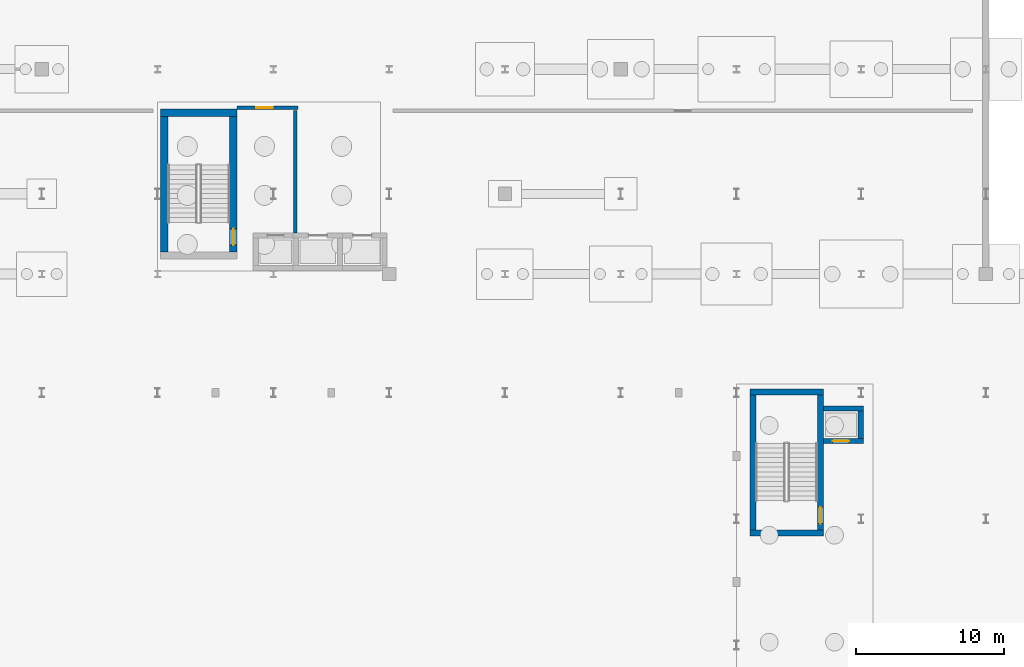
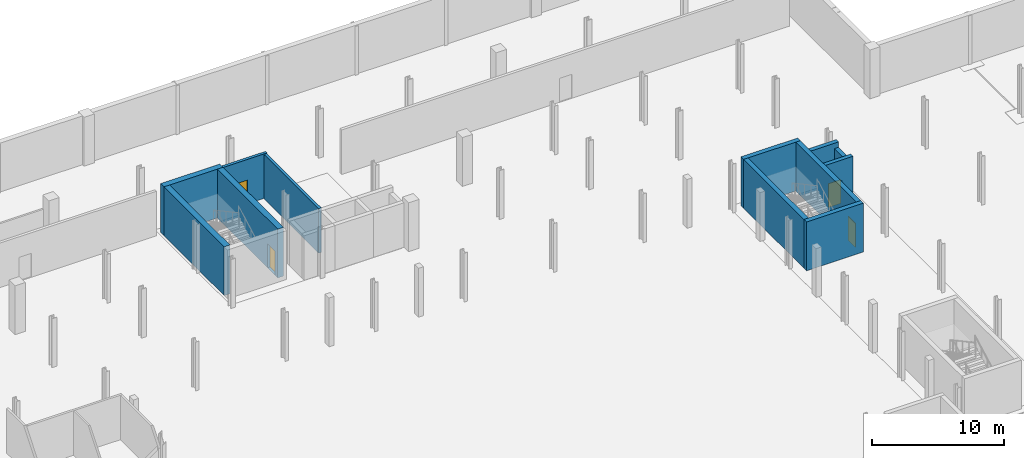
# One storey, part 28 of 45: 12 walls, 4 doors, 4 openings.
"""IFC4 building model written with IfcOpenShell, lengths in metres."""

from ifc_helpers import new_model, si_unit, direction, frame, frame_2d, origin, place, context, subcontext, project, spatial, rectangle, extrude, material, layer, layer_set, type_object, element, fill, save


model = new_model("IFC4")

# Units and contexts
model_context = context("Model", 3, precision=1e-05, world=origin(), true_north=direction((0.0, 1.0)))
body_context = subcontext(model_context, "Body", "Model", "MODEL_VIEW")
ifc_project = project(units=[si_unit("LENGTHUNIT", "METRE"), si_unit("AREAUNIT", "SQUARE_METRE"), si_unit("VOLUMEUNIT", "CUBIC_METRE"), si_unit("PLANEANGLEUNIT", "RADIAN"), si_unit("MASSUNIT", "GRAM", prefix="KILO")], contexts=[model_context])

# Site, building, storey
site_placement = place(None, origin())
site = spatial("IfcSite", under=ifc_project, at=site_placement, CompositionType="ELEMENT")
building_placement = place(site_placement, origin())
building = spatial("IfcBuilding", under=site, at=building_placement, Name="Sefraquen Railside Congress Hotel", CompositionType="ELEMENT")
storey_placement = place(building_placement, frame((0.0, 0.0, -4.5)))
storey = spatial("IfcBuildingStorey", under=building, at=storey_placement, Name="B01", CompositionType="ELEMENT", Elevation=-4.5)

# Wall
ifc_material_1 = material(Name="Concrete C50/60", Category="concrete")
ifc_layer_1 = layer(ifc_material_1, 0.35009765625)
ifc_layer_set_1 = layer_set([ifc_layer_1], Name="Concrete C50/60")
wall_type_1 = type_object("IfcWallType", Name="TW-CW-350", PredefinedType="SHEAR", material=ifc_layer_set_1)
wall_1_placement = place(storey_placement, frame((109.06005859375, 86.945068359375, 0.0), z_axis=(0.0, 0.0, 1.0), x_axis=(1.0, 0.0, 0.0)))
element("IfcWall", 1, at=wall_1_placement, inside=storey, type_object=wall_type_1, Name="Lift PL-07 shaft wall N B01", PredefinedType="SHEAR", context=body_context, shape_type="SweptSolid", body=[
    extrude(rectangle(XDim=2.68994140625, YDim=0.35009765625, at=frame_2d((1.344970703125, 0.0))), origin(), (0.0, 0.0, 1.0), 4.10009765625),
])

# Wall, opening, door
wall_2_placement = place(storey_placement, frame((109.06005859375, 84.7548828125, 0.0), z_axis=(0.0, 0.0, 1.0), x_axis=(1.0, 0.0, 0.0)))
wall_2 = element("IfcWall", 2, at=wall_2_placement, inside=storey, type_object=wall_type_1, Name="Lift PL-07 shaft wall S B01", PredefinedType="SHEAR", context=body_context, shape_type="SweptSolid", body=[
    extrude(rectangle(XDim=2.68994140625, YDim=0.35009765625, at=frame_2d((1.344970703125, 0.0))), origin(), (0.0, 0.0, 1.0), 4.10009765625),
])
opening_1_placement = place(wall_2_placement, frame((0.6201171875, 0.0, 0.0)))
opening_1 = element("IfcOpeningElement", 3, at=opening_1_placement, cuts=wall_2, Name="Opening LD-01", PredefinedType="OPENING", context=body_context, shape_type="SweptSolid", body=[
    extrude(rectangle(XDim=1.10009765625, YDim=2.199951171875, at=frame_2d((0.550048828125, 1.10009765625))), frame((0.0, 0.18505859375, 0.0), z_axis=(0.0, -1.0, 0.0), x_axis=(1.0, 0.0, 0.0)), (0.0, 0.0, 1.0), 0.3701171875),
])
ifc_material_2 = material(Name="Brushed bronze stainless steel", Category="steel")
door_type_1 = type_object("IfcDoorType", Name="TD-LD-01", OperationType="NOTDEFINED", PredefinedType="DOOR", material=ifc_material_2)
door_1_placement = place(opening_1_placement, origin())
door_1 = element("IfcDoor", 4, at=door_1_placement, inside=storey, type_object=door_type_1, Name="Lift landing door PL-07 B01", OperationType="SLIDING_TO_LEFT", OverallHeight=2.199951171875, OverallWidth=1.10009765625, PredefinedType="DOOR", context=body_context, shape_type="SweptSolid", body=[
    extrude(rectangle(XDim=1.10009765625, YDim=2.199951171875, at=frame_2d((0.550048828125, 1.10009765625))), frame((0.0, 0.02490234375, 0.0), z_axis=(0.0, -1.0, 0.0), x_axis=(1.0, 0.0, 0.0)), (0.0, 0.0, 1.0), 0.050048828125),
])
fill(opening_1, door_1)

# Walls
wall_3_placement = place(storey_placement, frame((111.574951171875, 84.929931640625, 0.0), z_axis=(0.0, 0.0, 1.0), x_axis=(0.0, 1.0, 0.0)))
element("IfcWall", 5, at=wall_3_placement, inside=storey, type_object=wall_type_1, Name="Lift PL-07 shaft wall E B01", PredefinedType="SHEAR", context=body_context, shape_type="SweptSolid", body=[
    extrude(rectangle(XDim=1.840087890625, YDim=0.35009765625, at=frame_2d((0.919921875, 0.0))), origin(), (0.0, 0.0, 1.0), 3.60009765625),
])
ifc_layer_2 = layer(ifc_material_1, 0.39990234375)
ifc_layer_set_2 = layer_set([ifc_layer_2], Name="Concrete C50/60")
wall_type_2 = type_object("IfcWallType", Name="TW-CW-400", PredefinedType="SHEAR", material=ifc_layer_set_2)
for number, where, z_axis, x_axis, name in (
    (6, (104.10009765625, 88.06201171875, 0.0), (0.0, 0.0, 1.0), (1.0, 0.0, 0.0), "Core shear wall ST-M01 N B01"),
    (7, (104.10009765625, 78.550048828125, 0.0), (0.0, 0.0, 1.0), (1.0, 0.0, 0.0), "Core shear wall ST-M01 S B01"),
):
    element("IfcWall", number, at=place(storey_placement, frame(where, z_axis=z_axis, x_axis=x_axis)), inside=storey, type_object=wall_type_2, Name=name, PredefinedType="SHEAR", context=body_context, shape_type="SweptSolid", body=[
        extrude(rectangle(XDim=4.9599609375, YDim=0.39990234375, at=frame_2d((2.47998046875, 0.0))), origin(), (0.0, 0.0, 1.0), 4.5),
    ])
wall_4_placement = place(storey_placement, frame((104.300048828125, 78.75, 0.0), z_axis=(0.0, 0.0, 1.0), x_axis=(0.0, 1.0, 0.0)))
element("IfcWall", 8, at=wall_4_placement, inside=storey, type_object=wall_type_2, Name="Core shear wall ST-M01 W B01", PredefinedType="SHEAR", context=body_context, shape_type="SweptSolid", body=[
    extrude(rectangle(XDim=9.112060546875, YDim=0.39990234375, at=frame_2d((4.55615234375, 0.0))), origin(), (0.0, 0.0, 1.0), 4.5),
])

# Wall, opening, door
wall_5_placement = place(storey_placement, frame((108.860107421875, 78.75, 0.0), z_axis=(0.0, 0.0, 1.0), x_axis=(0.0, 1.0, 0.0)))
wall_5 = element("IfcWall", 9, at=wall_5_placement, inside=storey, type_object=wall_type_2, Name="Core shear wall ST-M01 E B01", PredefinedType="SHEAR", context=body_context, shape_type="SweptSolid", body=[
    extrude(rectangle(XDim=9.112060546875, YDim=0.39990234375, at=frame_2d((4.55615234375, 0.0))), origin(), (0.0, 0.0, 1.0), 4.5),
])
opening_2_placement = place(wall_5_placement, frame((0.43994140625, 0.0, 0.0)))
opening_2 = element("IfcOpeningElement", 10, at=opening_2_placement, cuts=wall_5, Name="Opening FD-04", PredefinedType="OPENING", context=body_context, shape_type="SweptSolid", body=[
    extrude(rectangle(XDim=1.10009765625, YDim=2.199951171875, at=frame_2d((0.550048828125, 1.10009765625))), frame((0.0, 0.2099609375, 0.0), z_axis=(0.0, -1.0, 0.0), x_axis=(1.0, 0.0, 0.0)), (0.0, 0.0, 1.0), 0.419921875),
])
ifc_material_3 = material(Name="Fire-rated steel", Category="steel")
door_type_2 = type_object("IfcDoorType", Name="TD-FD-04", OperationType="NOTDEFINED", PredefinedType="DOOR", material=ifc_material_3)
door_2_placement = place(opening_2_placement, origin())
door_2 = element("IfcDoor", 11, at=door_2_placement, inside=storey, type_object=door_type_2, Name="Pressurized stair ST-M01 fire door B01", OperationType="SINGLE_SWING_LEFT", OverallHeight=2.199951171875, OverallWidth=1.10009765625, PredefinedType="DOOR", context=body_context, shape_type="SweptSolid", body=[
    extrude(rectangle(XDim=1.10009765625, YDim=2.199951171875, at=frame_2d((0.550048828125, 1.10009765625))), frame((0.0, 0.02490234375, 0.0), z_axis=(0.0, -1.0, 0.0), x_axis=(1.0, 0.0, 0.0)), (0.0, 0.0, 1.0), 0.050048828125),
])
fill(opening_2, door_2)

# Walls
ifc_layer_3 = layer(ifc_material_1, 0.5)
ifc_layer_set_3 = layer_set([ifc_layer_3], Name="Concrete C50/60")
wall_type_3 = type_object("IfcWallType", Name="TW-CW-500", PredefinedType="SHEAR", material=ifc_layer_set_3)
wall_6_placement = place(storey_placement, frame((64.39990234375, 106.862060546875, 0.0), z_axis=(0.0, 0.0, 1.0), x_axis=(1.0, 0.0, 0.0)))
element("IfcWall", 12, at=wall_6_placement, inside=storey, type_object=wall_type_3, Name="Core shear wall ST-H03 N B01", PredefinedType="SHEAR", context=body_context, shape_type="SweptSolid", body=[
    extrude(rectangle(XDim=5.16015625, YDim=0.5, at=frame_2d((2.580078125, 0.0))), origin(), (0.0, 0.0, 1.0), 4.5),
])
wall_7_placement = place(storey_placement, frame((64.64990234375, 97.5, 0.0), z_axis=(0.0, 0.0, 1.0), x_axis=(0.0, 1.0, 0.0)))
element("IfcWall", 13, at=wall_7_placement, inside=storey, type_object=wall_type_3, Name="Core shear wall ST-H03 W B01", PredefinedType="SHEAR", context=body_context, shape_type="SweptSolid", body=[
    extrude(rectangle(XDim=9.112060546875, YDim=0.5, at=frame_2d((4.55615234375, 0.0))), origin(), (0.0, 0.0, 1.0), 4.5),
])

# Wall, opening, door
wall_8_placement = place(storey_placement, frame((69.31005859375, 97.5, 0.0), z_axis=(0.0, 0.0, 1.0), x_axis=(0.0, 1.0, 0.0)))
wall_8 = element("IfcWall", 14, at=wall_8_placement, inside=storey, type_object=wall_type_3, Name="Core shear wall ST-H03 E B01", PredefinedType="SHEAR", context=body_context, shape_type="SweptSolid", body=[
    extrude(rectangle(XDim=9.112060546875, YDim=0.5, at=frame_2d((4.55615234375, 0.0))), origin(), (0.0, 0.0, 1.0), 4.5),
])
opening_3_placement = place(wall_8_placement, frame((0.43994140625, 0.0, 0.0)))
opening_3 = element("IfcOpeningElement", 15, at=opening_3_placement, cuts=wall_8, Name="Opening FD-04", PredefinedType="OPENING", context=body_context, shape_type="SweptSolid", body=[
    extrude(rectangle(XDim=1.10009765625, YDim=2.199951171875, at=frame_2d((0.550048828125, 1.10009765625))), frame((0.0, 0.260009765625, 0.0), z_axis=(0.0, -1.0, 0.0), x_axis=(1.0, 0.0, 0.0)), (0.0, 0.0, 1.0), 0.52001953125),
])
door_3_placement = place(opening_3_placement, origin())
door_3 = element("IfcDoor", 16, at=door_3_placement, inside=storey, type_object=door_type_2, Name="Pressurized stair ST-H03 fire door B01", OperationType="SINGLE_SWING_LEFT", OverallHeight=2.199951171875, OverallWidth=1.10009765625, PredefinedType="DOOR", context=body_context, shape_type="SweptSolid", body=[
    extrude(rectangle(XDim=1.10009765625, YDim=2.199951171875, at=frame_2d((0.550048828125, 1.10009765625))), frame((0.0, 0.02490234375, 0.0), z_axis=(0.0, -1.0, 0.0), x_axis=(1.0, 0.0, 0.0)), (0.0, 0.0, 1.0), 0.050048828125),
])
fill(opening_3, door_3)

# Wall
ifc_material_4 = material(Name="Concrete C40/50", Category="concrete")
ifc_layer_4 = layer(ifc_material_4, 0.239990234375)
ifc_layer_set_4 = layer_set([ifc_layer_4], Name="Concrete C40/50")
wall_type_4 = type_object("IfcWallType", Name="TW-FW-240", PredefinedType="STANDARD", material=ifc_layer_set_4)
wall_9_placement = place(storey_placement, frame((73.47998046875, 98.780029296875, 0.0), z_axis=(0.0, 0.0, 1.0), x_axis=(0.0, 1.0, 0.0)))
element("IfcWall", 17, at=wall_9_placement, inside=storey, type_object=wall_type_4, Name="Firefighting Lift Lobby FFL-03 east fire wall B01", PredefinedType="STANDARD", context=body_context, shape_type="SweptSolid", body=[
    extrude(rectangle(XDim=8.239990234375, YDim=0.239990234375, at=frame_2d((4.1201171875, 0.0))), origin(), (0.0, 0.0, 1.0), 4.10009765625),
])

# Wall, opening, door
wall_10_placement = place(storey_placement, frame((69.56005859375, 107.199951171875, 0.0), z_axis=(0.0, 0.0, 1.0), x_axis=(1.0, 0.0, 0.0)))
wall_10 = element("IfcWall", 18, at=wall_10_placement, inside=storey, type_object=wall_type_4, Name="Firefighting Lift Lobby FFL-03 EI 120 separation wall B01", PredefinedType="STANDARD", context=body_context, shape_type="SweptSolid", body=[
    extrude(rectangle(XDim=4.099853515625, YDim=0.239990234375, at=frame_2d((2.0498046875, 0.0))), origin(), (0.0, 0.0, 1.0), 4.10009765625),
])
opening_4_placement = place(wall_10_placement, frame((1.300048828125, 0.0, 0.0)))
opening_4 = element("IfcOpeningElement", 19, at=opening_4_placement, cuts=wall_10, Name="Opening FD-04", PredefinedType="OPENING", context=body_context, shape_type="SweptSolid", body=[
    extrude(rectangle(XDim=1.10009765625, YDim=2.199951171875, at=frame_2d((0.550048828125, 1.10009765625))), frame((0.0, 0.1298828125, 0.0), z_axis=(0.0, -1.0, 0.0), x_axis=(1.0, 0.0, 0.0)), (0.0, 0.0, 1.0), 0.260009765625),
])
door_4_placement = place(opening_4_placement, origin())
door_4 = element("IfcDoor", 20, at=door_4_placement, inside=storey, type_object=door_type_2, Name="Firefighting Lift Lobby FFL-03 self-closing fire door B01", OperationType="SINGLE_SWING_LEFT", OverallHeight=2.199951171875, OverallWidth=1.10009765625, PredefinedType="DOOR", context=body_context, shape_type="SweptSolid", body=[
    extrude(rectangle(XDim=1.10009765625, YDim=2.199951171875, at=frame_2d((0.550048828125, 1.10009765625))), frame((0.0, 0.02490234375, 0.0), z_axis=(0.0, -1.0, 0.0), x_axis=(1.0, 0.0, 0.0)), (0.0, 0.0, 1.0), 0.050048828125),
])
fill(opening_4, door_4)

save(model, "model.ifc")
